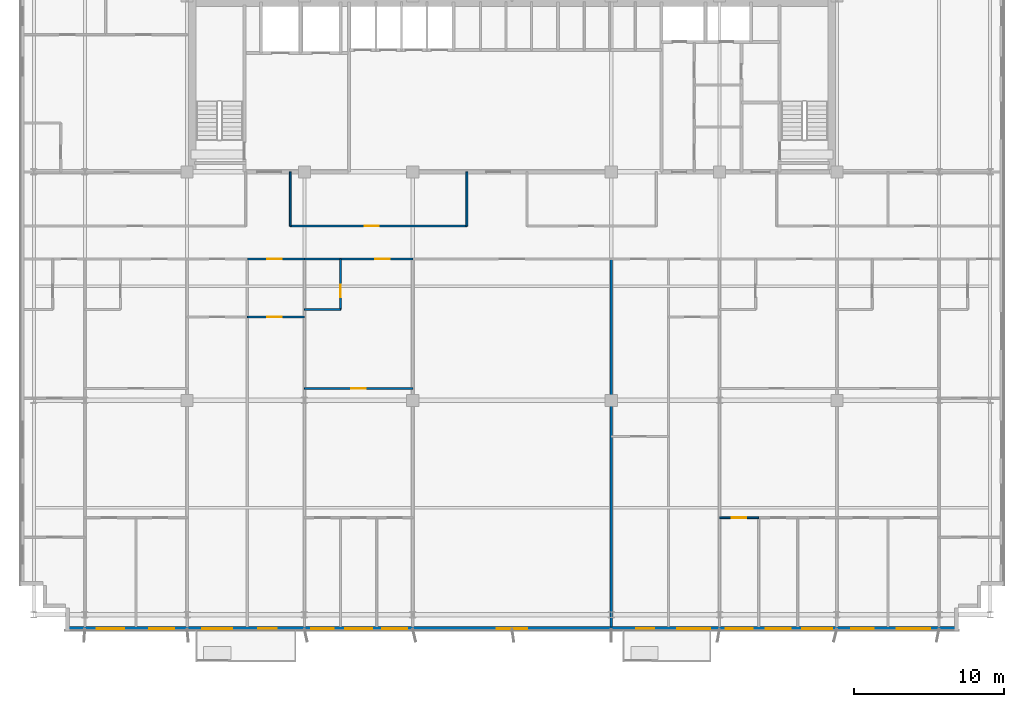
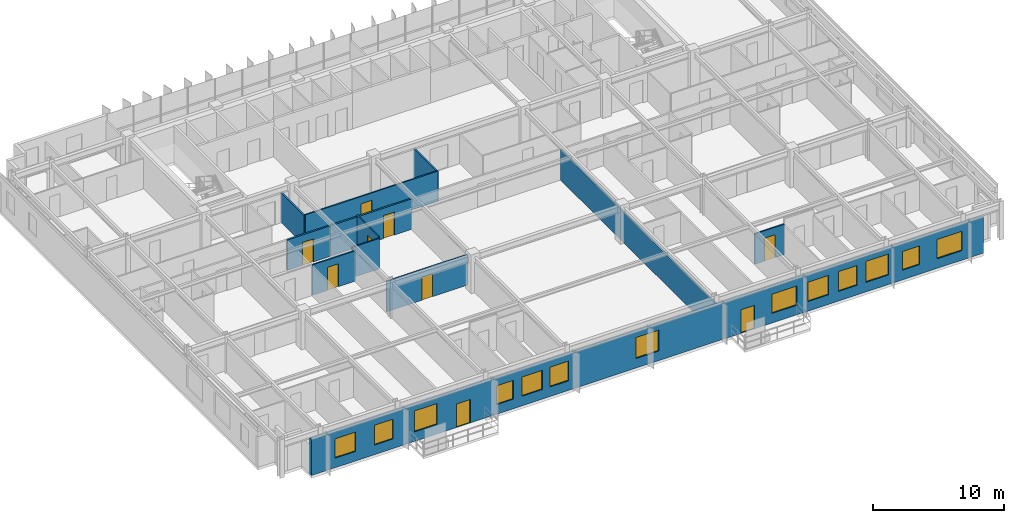
# One storey, part 15 of 22: 13 windows, 12 walls, 9 doors, 22 openings.
"""IFC4 building model written with IfcOpenShell, lengths in metres."""

from ifc_helpers import new_model, si_unit, direction, frame, frame_2d, origin, place, context, subcontext, project, spatial, rectangle, extrude, source, transform, mapped, material, layer, layer_set, type_object, element, fill, save


model = new_model("IFC4")

# Units and contexts
model_context = context("Model", 3, precision=1e-05, world=origin(), true_north=direction((0.0, 1.0)))
body_context = subcontext(model_context, "Body", "Model", "MODEL_VIEW")
ifc_project = project(units=[si_unit("LENGTHUNIT", "METRE"), si_unit("AREAUNIT", "SQUARE_METRE"), si_unit("VOLUMEUNIT", "CUBIC_METRE"), si_unit("PLANEANGLEUNIT", "RADIAN"), si_unit("MASSUNIT", "GRAM", prefix="KILO")], contexts=[model_context])

# Site, building, storey
site_placement = place(None, origin())
site = spatial("IfcSite", under=ifc_project, at=site_placement, CompositionType="ELEMENT")
building_placement = place(site_placement, origin())
building = spatial("IfcBuilding", under=site, at=building_placement, Name="Trelvane Seafront Commons", CompositionType="ELEMENT")
storey_placement = place(building_placement, frame((0.0, 0.0, 99.699951171875)))
storey = spatial("IfcBuildingStorey", under=building, at=storey_placement, Name="L25", CompositionType="ELEMENT", Elevation=99.699951171875)

# Wall, openings, doors, windows
ifc_material_1 = material(Name="Precast concrete C40/50", Category="concrete")
ifc_layer_1 = layer(ifc_material_1, 0.260009765625, Name="ARCH-WALL-EXT260")
ifc_layer_set_1 = layer_set([ifc_layer_1], Name="Precast concrete C40/50")
wall_type_1 = type_object("IfcWallType", Name="ARCH-WALL-EXT260", PredefinedType="SOLIDWALL", material=ifc_layer_set_1)
wall_1_placement = place(storey_placement, frame((66.89990234375, 3.030029296875, 0.0), z_axis=(0.0, 0.0, 1.0), x_axis=(-1.0, 0.0, 0.0)))
wall_1 = element("IfcWall", 1, at=wall_1_placement, inside=storey, type_object=wall_type_1, Name="EW-L25-00473", PredefinedType="SOLIDWALL", context=body_context, shape_type="SweptSolid", body=[
    extrude(rectangle(XDim=59.39990234375, YDim=0.260009765625, at=frame_2d((29.699951171875, 0.0))), origin(), (0.0, 0.0, 1.0), 3.340087890625),
])
opening_1_placement = place(wall_1_placement, frame((1.89990234375, 0.0, 0.89990234375)))
opening_1 = element("IfcOpeningElement", 2, at=opening_1_placement, cuts=wall_1, Name="Opening W02", PredefinedType="OPENING", context=body_context, shape_type="SweptSolid", body=[
    extrude(rectangle(XDim=2.199951171875, YDim=1.800048828125, at=frame_2d((1.10009765625, 0.89990234375))), frame((0.0, 0.139892578125, 0.0), z_axis=(0.0, -1.0, 0.0), x_axis=(1.0, 0.0, 0.0)), (0.0, 0.0, 1.0), 0.280029296875),
])
opening_2_placement = place(wall_1_placement, frame((5.64990234375, 0.0, 0.89990234375)))
opening_2 = element("IfcOpeningElement", 3, at=opening_2_placement, cuts=wall_1, Name="Opening W03", PredefinedType="OPENING", context=body_context, shape_type="SweptSolid", body=[
    extrude(rectangle(XDim=1.5, YDim=1.75, at=frame_2d((0.75, 0.875))), frame((0.0, 0.139892578125, 0.0), z_axis=(0.0, -1.0, 0.0), x_axis=(1.0, 0.0, 0.0)), (0.0, 0.0, 1.0), 0.280029296875),
])
opening_3_placement = place(wall_1_placement, frame((8.39990234375, 0.0, 0.89990234375)))
opening_3 = element("IfcOpeningElement", 4, at=opening_3_placement, cuts=wall_1, Name="Opening W06", PredefinedType="OPENING", context=body_context, shape_type="SweptSolid", body=[
    extrude(rectangle(XDim=2.0, YDim=1.949951171875, at=frame_2d((1.0, 0.97509765625))), frame((0.0, 0.139892578125, 0.0), z_axis=(0.0, -1.0, 0.0), x_axis=(1.0, 0.0, 0.0)), (0.0, 0.0, 1.0), 0.280029296875),
])
opening_4_placement = place(wall_1_placement, frame((11.175048828125, 0.0, 0.89990234375)))
opening_4 = element("IfcOpeningElement", 5, at=opening_4_placement, cuts=wall_1, Name="Opening W07", PredefinedType="OPENING", context=body_context, shape_type="SweptSolid", body=[
    extrude(rectangle(XDim=1.64990234375, YDim=1.85009765625, at=frame_2d((0.824951171875, 0.925048828125))), frame((0.0, 0.139892578125, 0.0), z_axis=(0.0, -1.0, 0.0), x_axis=(1.0, 0.0, 0.0)), (0.0, 0.0, 1.0), 0.280029296875),
])
opening_5_placement = place(wall_1_placement, frame((13.699951171875, 0.0, 0.89990234375)))
opening_5 = element("IfcOpeningElement", 6, at=opening_5_placement, cuts=wall_1, Name="Opening W01", PredefinedType="OPENING", context=body_context, shape_type="SweptSolid", body=[
    extrude(rectangle(XDim=1.800048828125, YDim=1.800048828125, at=frame_2d((0.89990234375, 0.89990234375))), frame((0.0, 0.139892578125, 0.0), z_axis=(0.0, -1.0, 0.0), x_axis=(1.0, 0.0, 0.0)), (0.0, 0.0, 1.0), 0.280029296875),
])
opening_6_placement = place(wall_1_placement, frame((16.5, 0.0, 0.89990234375)))
opening_6 = element("IfcOpeningElement", 7, at=opening_6_placement, cuts=wall_1, Name="Opening W02", PredefinedType="OPENING", context=body_context, shape_type="SweptSolid", body=[
    extrude(rectangle(XDim=2.199951171875, YDim=1.800048828125, at=frame_2d((1.10009765625, 0.89990234375))), frame((0.0, 0.139892578125, 0.0), z_axis=(0.0, -1.0, 0.0), x_axis=(1.0, 0.0, 0.0)), (0.0, 0.0, 1.0), 0.280029296875),
])
opening_7_placement = place(wall_1_placement, frame((20.22705078125, 0.0, 0.0)))
opening_7 = element("IfcOpeningElement", 8, at=opening_7_placement, cuts=wall_1, Name="Opening BD-L25-59", PredefinedType="OPENING", context=body_context, shape_type="SweptSolid", body=[
    extrude(rectangle(XDim=1.199951171875, YDim=2.199951171875, at=frame_2d((0.60009765625, 1.10009765625))), frame((0.0, 0.139892578125, 0.0), z_axis=(0.0, -1.0, 0.0), x_axis=(1.0, 0.0, 0.0)), (0.0, 0.0, 1.0), 0.280029296875),
])
opening_8_placement = place(wall_1_placement, frame((28.699951171875, 0.0, 0.89990234375)))
opening_8 = element("IfcOpeningElement", 9, at=opening_8_placement, cuts=wall_1, Name="Opening W06", PredefinedType="OPENING", context=body_context, shape_type="SweptSolid", body=[
    extrude(rectangle(XDim=2.0, YDim=1.949951171875, at=frame_2d((1.0, 0.97509765625))), frame((0.0, 0.139892578125, 0.0), z_axis=(0.0, -1.0, 0.0), x_axis=(1.0, 0.0, 0.0)), (0.0, 0.0, 1.0), 0.280029296875),
])
opening_9_placement = place(wall_1_placement, frame((36.675048828125, 0.0, 0.89990234375)))
opening_9 = element("IfcOpeningElement", 10, at=opening_9_placement, cuts=wall_1, Name="Opening W07", PredefinedType="OPENING", context=body_context, shape_type="SweptSolid", body=[
    extrude(rectangle(XDim=1.64990234375, YDim=1.85009765625, at=frame_2d((0.824951171875, 0.925048828125))), frame((0.0, 0.139892578125, 0.0), z_axis=(0.0, -1.0, 0.0), x_axis=(1.0, 0.0, 0.0)), (0.0, 0.0, 1.0), 0.280029296875),
])
opening_10_placement = place(wall_1_placement, frame((39.0, 0.0, 0.89990234375)))
opening_10 = element("IfcOpeningElement", 11, at=opening_10_placement, cuts=wall_1, Name="Opening W01", PredefinedType="OPENING", context=body_context, shape_type="SweptSolid", body=[
    extrude(rectangle(XDim=1.800048828125, YDim=1.800048828125, at=frame_2d((0.89990234375, 0.89990234375))), frame((0.0, 0.139892578125, 0.0), z_axis=(0.0, -1.0, 0.0), x_axis=(1.0, 0.0, 0.0)), (0.0, 0.0, 1.0), 0.280029296875),
])
opening_11_placement = place(wall_1_placement, frame((41.550048828125, 0.0, 0.89990234375)))
opening_11 = element("IfcOpeningElement", 12, at=opening_11_placement, cuts=wall_1, Name="Opening W03", PredefinedType="OPENING", context=body_context, shape_type="SweptSolid", body=[
    extrude(rectangle(XDim=1.5, YDim=1.75, at=frame_2d((0.75, 0.875))), frame((0.0, 0.139892578125, 0.0), z_axis=(0.0, -1.0, 0.0), x_axis=(1.0, 0.0, 0.0)), (0.0, 0.0, 1.0), 0.280029296875),
])
opening_12_placement = place(wall_1_placement, frame((45.360107421875, 0.0, 0.0)))
opening_12 = element("IfcOpeningElement", 13, at=opening_12_placement, cuts=wall_1, Name="Opening BD-L25-60", PredefinedType="OPENING", context=body_context, shape_type="SweptSolid", body=[
    extrude(rectangle(XDim=1.199951171875, YDim=2.199951171875, at=frame_2d((0.60009765625, 1.10009765625))), frame((0.0, 0.139892578125, 0.0), z_axis=(0.0, -1.0, 0.0), x_axis=(1.0, 0.0, 0.0)), (0.0, 0.0, 1.0), 0.280029296875),
])
opening_13_placement = place(wall_1_placement, frame((48.300048828125, 0.0, 0.89990234375)))
opening_13 = element("IfcOpeningElement", 14, at=opening_13_placement, cuts=wall_1, Name="Opening W06", PredefinedType="OPENING", context=body_context, shape_type="SweptSolid", body=[
    extrude(rectangle(XDim=2.0, YDim=1.949951171875, at=frame_2d((1.0, 0.97509765625))), frame((0.0, 0.139892578125, 0.0), z_axis=(0.0, -1.0, 0.0), x_axis=(1.0, 0.0, 0.0)), (0.0, 0.0, 1.0), 0.280029296875),
])
opening_14_placement = place(wall_1_placement, frame((52.175048828125, 0.0, 0.89990234375)))
opening_14 = element("IfcOpeningElement", 15, at=opening_14_placement, cuts=wall_1, Name="Opening W07", PredefinedType="OPENING", context=body_context, shape_type="SweptSolid", body=[
    extrude(rectangle(XDim=1.64990234375, YDim=1.85009765625, at=frame_2d((0.824951171875, 0.925048828125))), frame((0.0, 0.139892578125, 0.0), z_axis=(0.0, -1.0, 0.0), x_axis=(1.0, 0.0, 0.0)), (0.0, 0.0, 1.0), 0.280029296875),
])
opening_15_placement = place(wall_1_placement, frame((55.5, 0.0, 0.89990234375)))
opening_15 = element("IfcOpeningElement", 16, at=opening_15_placement, cuts=wall_1, Name="Opening W01", PredefinedType="OPENING", context=body_context, shape_type="SweptSolid", body=[
    extrude(rectangle(XDim=1.800048828125, YDim=1.800048828125, at=frame_2d((0.89990234375, 0.89990234375))), frame((0.0, 0.139892578125, 0.0), z_axis=(0.0, -1.0, 0.0), x_axis=(1.0, 0.0, 0.0)), (0.0, 0.0, 1.0), 0.280029296875),
])
ifc_material_2 = material(Name="Powder-coated aluminium frame", Category="aluminium")
door_type_1 = type_object("IfcDoorType", Name="ARCH-DR-BAL1200", OperationType="NOTDEFINED", PredefinedType="DOOR", material=ifc_material_2)
shared_shape_1 = source(origin(), body_context, "Body", "SweptSolid", [
    extrude(rectangle(XDim=1.199951171875, YDim=2.199951171875, at=frame_2d((0.60009765625, 1.10009765625))), frame((0.0, 0.02490234375, 0.0), z_axis=(0.0, -1.0, 0.0), x_axis=(1.0, 0.0, 0.0)), (0.0, 0.0, 1.0), 0.050048828125),
])
door_1_placement = place(opening_7_placement, origin())
door_1 = element("IfcDoor", 17, at=door_1_placement, inside=storey, type_object=door_type_1, Name="L25 Balcony Terrace Access Door", OperationType="SINGLE_SWING_LEFT", OverallHeight=2.199951171875, OverallWidth=1.199951171875, PredefinedType="DOOR", context=body_context, shape_type="MappedRepresentation", body=[
    mapped(shared_shape_1, transform((0.0, 0.0, 0.0), x_axis=(1.0, 0.0, 0.0), y_axis=(0.0, 1.0, 0.0), z_axis=(0.0, 0.0, 1.0), scale=1.0)),
])
fill(opening_7, door_1)
door_2_placement = place(opening_12_placement, origin())
door_2 = element("IfcDoor", 18, at=door_2_placement, inside=storey, type_object=door_type_1, Name="L25 Balcony Terrace Access Door", OperationType="SINGLE_SWING_LEFT", OverallHeight=2.199951171875, OverallWidth=1.199951171875, PredefinedType="DOOR", context=body_context, shape_type="MappedRepresentation", body=[
    mapped(shared_shape_1, transform((0.0, 0.0, 0.0), x_axis=(1.0, 0.0, 0.0), y_axis=(0.0, 1.0, 0.0), z_axis=(0.0, 0.0, 1.0), scale=1.0)),
])
fill(opening_12, door_2)
ifc_material_3 = material(Name="Low-E coastal double glazing", Category="glass")
window_type_1 = type_object("IfcWindowType", Name="ARCH-WIN-W02", PartitioningType="SINGLE_PANEL", PredefinedType="WINDOW", material=ifc_material_3)
shared_shape_2 = source(origin(), body_context, "Body", "SweptSolid", [
    extrude(rectangle(XDim=2.199951171875, YDim=1.800048828125, at=frame_2d((1.10009765625, 0.89990234375))), frame((0.0, 0.030029296875, 0.0), z_axis=(0.0, -1.0, 0.0), x_axis=(1.0, 0.0, 0.0)), (0.0, 0.0, 1.0), 0.06005859375),
])
window_1_placement = place(opening_1_placement, origin())
window_1 = element("IfcWindow", 19, at=window_1_placement, inside=storey, type_object=window_type_1, Name="WIN-L25-00547", OverallHeight=1.800048828125, OverallWidth=2.199951171875, PartitioningType="SINGLE_PANEL", PredefinedType="WINDOW", context=body_context, shape_type="MappedRepresentation", body=[
    mapped(shared_shape_2, transform((0.0, 0.0, 0.0), x_axis=(1.0, 0.0, 0.0), y_axis=(0.0, 1.0, 0.0), z_axis=(0.0, 0.0, 1.0), scale=1.0)),
])
fill(opening_1, window_1)
window_2_placement = place(opening_6_placement, origin())
window_2 = element("IfcWindow", 20, at=window_2_placement, inside=storey, type_object=window_type_1, Name="WIN-L25-00552", OverallHeight=1.800048828125, OverallWidth=2.199951171875, PartitioningType="SINGLE_PANEL", PredefinedType="WINDOW", context=body_context, shape_type="MappedRepresentation", body=[
    mapped(shared_shape_2, transform((0.0, 0.0, 0.0), x_axis=(1.0, 0.0, 0.0), y_axis=(0.0, 1.0, 0.0), z_axis=(0.0, 0.0, 1.0), scale=1.0)),
])
fill(opening_6, window_2)
window_type_2 = type_object("IfcWindowType", Name="ARCH-WIN-W03", PartitioningType="SINGLE_PANEL", PredefinedType="WINDOW", material=ifc_material_3)
shared_shape_3 = source(origin(), body_context, "Body", "SweptSolid", [
    extrude(rectangle(XDim=1.5, YDim=1.75, at=frame_2d((0.75, 0.875))), frame((0.0, 0.030029296875, 0.0), z_axis=(0.0, -1.0, 0.0), x_axis=(1.0, 0.0, 0.0)), (0.0, 0.0, 1.0), 0.06005859375),
])
window_3_placement = place(opening_2_placement, origin())
window_3 = element("IfcWindow", 21, at=window_3_placement, inside=storey, type_object=window_type_2, Name="WIN-L25-00548", OverallHeight=1.75, OverallWidth=1.5, PartitioningType="SINGLE_PANEL", PredefinedType="WINDOW", context=body_context, shape_type="MappedRepresentation", body=[
    mapped(shared_shape_3, transform((0.0, 0.0, 0.0), x_axis=(1.0, 0.0, 0.0), y_axis=(0.0, 1.0, 0.0), z_axis=(0.0, 0.0, 1.0), scale=1.0)),
])
fill(opening_2, window_3)
window_4_placement = place(opening_11_placement, origin())
window_4 = element("IfcWindow", 22, at=window_4_placement, inside=storey, type_object=window_type_2, Name="WIN-L25-00556", OverallHeight=1.75, OverallWidth=1.5, PartitioningType="SINGLE_PANEL", PredefinedType="WINDOW", context=body_context, shape_type="MappedRepresentation", body=[
    mapped(shared_shape_3, transform((0.0, 0.0, 0.0), x_axis=(1.0, 0.0, 0.0), y_axis=(0.0, 1.0, 0.0), z_axis=(0.0, 0.0, 1.0), scale=1.0)),
])
fill(opening_11, window_4)
window_type_3 = type_object("IfcWindowType", Name="ARCH-WIN-W06", PartitioningType="SINGLE_PANEL", PredefinedType="WINDOW", material=ifc_material_3)
shared_shape_4 = source(origin(), body_context, "Body", "SweptSolid", [
    extrude(rectangle(XDim=2.0, YDim=1.949951171875, at=frame_2d((1.0, 0.97509765625))), frame((0.0, 0.030029296875, 0.0), z_axis=(0.0, -1.0, 0.0), x_axis=(1.0, 0.0, 0.0)), (0.0, 0.0, 1.0), 0.06005859375),
])
window_5_placement = place(opening_3_placement, origin())
window_5 = element("IfcWindow", 23, at=window_5_placement, inside=storey, type_object=window_type_3, Name="WIN-L25-00549", OverallHeight=1.949951171875, OverallWidth=2.0, PartitioningType="SINGLE_PANEL", PredefinedType="WINDOW", context=body_context, shape_type="MappedRepresentation", body=[
    mapped(shared_shape_4, transform((0.0, 0.0, 0.0), x_axis=(1.0, 0.0, 0.0), y_axis=(0.0, 1.0, 0.0), z_axis=(0.0, 0.0, 1.0), scale=1.0)),
])
fill(opening_3, window_5)
window_6_placement = place(opening_8_placement, origin())
window_6 = element("IfcWindow", 24, at=window_6_placement, inside=storey, type_object=window_type_3, Name="WIN-L25-00553", OverallHeight=1.949951171875, OverallWidth=2.0, PartitioningType="SINGLE_PANEL", PredefinedType="WINDOW", context=body_context, shape_type="MappedRepresentation", body=[
    mapped(shared_shape_4, transform((0.0, 0.0, 0.0), x_axis=(1.0, 0.0, 0.0), y_axis=(0.0, 1.0, 0.0), z_axis=(0.0, 0.0, 1.0), scale=1.0)),
])
fill(opening_8, window_6)
window_7_placement = place(opening_13_placement, origin())
window_7 = element("IfcWindow", 25, at=window_7_placement, inside=storey, type_object=window_type_3, Name="WIN-L25-00557", OverallHeight=1.949951171875, OverallWidth=2.0, PartitioningType="SINGLE_PANEL", PredefinedType="WINDOW", context=body_context, shape_type="MappedRepresentation", body=[
    mapped(shared_shape_4, transform((0.0, 0.0, 0.0), x_axis=(1.0, 0.0, 0.0), y_axis=(0.0, 1.0, 0.0), z_axis=(0.0, 0.0, 1.0), scale=1.0)),
])
fill(opening_13, window_7)
window_type_4 = type_object("IfcWindowType", Name="ARCH-WIN-W01", PartitioningType="SINGLE_PANEL", PredefinedType="WINDOW", material=ifc_material_3)
shared_shape_5 = source(origin(), body_context, "Body", "SweptSolid", [
    extrude(rectangle(XDim=1.800048828125, YDim=1.800048828125, at=frame_2d((0.89990234375, 0.89990234375))), frame((0.0, 0.030029296875, 0.0), z_axis=(0.0, -1.0, 0.0), x_axis=(1.0, 0.0, 0.0)), (0.0, 0.0, 1.0), 0.06005859375),
])
window_8_placement = place(opening_5_placement, origin())
window_8 = element("IfcWindow", 26, at=window_8_placement, inside=storey, type_object=window_type_4, Name="WIN-L25-00551", OverallHeight=1.800048828125, OverallWidth=1.800048828125, PartitioningType="SINGLE_PANEL", PredefinedType="WINDOW", context=body_context, shape_type="MappedRepresentation", body=[
    mapped(shared_shape_5, transform((0.0, 0.0, 0.0), x_axis=(1.0, 0.0, 0.0), y_axis=(0.0, 1.0, 0.0), z_axis=(0.0, 0.0, 1.0), scale=1.0)),
])
fill(opening_5, window_8)
window_9_placement = place(opening_10_placement, origin())
window_9 = element("IfcWindow", 27, at=window_9_placement, inside=storey, type_object=window_type_4, Name="WIN-L25-00555", OverallHeight=1.800048828125, OverallWidth=1.800048828125, PartitioningType="SINGLE_PANEL", PredefinedType="WINDOW", context=body_context, shape_type="MappedRepresentation", body=[
    mapped(shared_shape_5, transform((0.0, 0.0, 0.0), x_axis=(1.0, 0.0, 0.0), y_axis=(0.0, 1.0, 0.0), z_axis=(0.0, 0.0, 1.0), scale=1.0)),
])
fill(opening_10, window_9)
window_10_placement = place(opening_15_placement, origin())
window_10 = element("IfcWindow", 28, at=window_10_placement, inside=storey, type_object=window_type_4, Name="WIN-L25-00559", OverallHeight=1.800048828125, OverallWidth=1.800048828125, PartitioningType="SINGLE_PANEL", PredefinedType="WINDOW", context=body_context, shape_type="MappedRepresentation", body=[
    mapped(shared_shape_5, transform((0.0, 0.0, 0.0), x_axis=(1.0, 0.0, 0.0), y_axis=(0.0, 1.0, 0.0), z_axis=(0.0, 0.0, 1.0), scale=1.0)),
])
fill(opening_15, window_10)
window_type_5 = type_object("IfcWindowType", Name="ARCH-WIN-W07", PartitioningType="SINGLE_PANEL", PredefinedType="WINDOW", material=ifc_material_3)
shared_shape_6 = source(origin(), body_context, "Body", "SweptSolid", [
    extrude(rectangle(XDim=1.64990234375, YDim=1.85009765625, at=frame_2d((0.824951171875, 0.925048828125))), frame((0.0, 0.030029296875, 0.0), z_axis=(0.0, -1.0, 0.0), x_axis=(1.0, 0.0, 0.0)), (0.0, 0.0, 1.0), 0.06005859375),
])
window_11_placement = place(opening_4_placement, origin())
window_11 = element("IfcWindow", 29, at=window_11_placement, inside=storey, type_object=window_type_5, Name="WIN-L25-00550", OverallHeight=1.85009765625, OverallWidth=1.64990234375, PartitioningType="SINGLE_PANEL", PredefinedType="WINDOW", context=body_context, shape_type="MappedRepresentation", body=[
    mapped(shared_shape_6, transform((0.0, 0.0, 0.0), x_axis=(1.0, 0.0, 0.0), y_axis=(0.0, 1.0, 0.0), z_axis=(0.0, 0.0, 1.0), scale=1.0)),
])
fill(opening_4, window_11)
window_12_placement = place(opening_9_placement, origin())
window_12 = element("IfcWindow", 30, at=window_12_placement, inside=storey, type_object=window_type_5, Name="WIN-L25-00554", OverallHeight=1.85009765625, OverallWidth=1.64990234375, PartitioningType="SINGLE_PANEL", PredefinedType="WINDOW", context=body_context, shape_type="MappedRepresentation", body=[
    mapped(shared_shape_6, transform((0.0, 0.0, 0.0), x_axis=(1.0, 0.0, 0.0), y_axis=(0.0, 1.0, 0.0), z_axis=(0.0, 0.0, 1.0), scale=1.0)),
])
fill(opening_9, window_12)
window_13_placement = place(opening_14_placement, origin())
window_13 = element("IfcWindow", 31, at=window_13_placement, inside=storey, type_object=window_type_5, Name="WIN-L25-00558", OverallHeight=1.85009765625, OverallWidth=1.64990234375, PartitioningType="SINGLE_PANEL", PredefinedType="WINDOW", context=body_context, shape_type="MappedRepresentation", body=[
    mapped(shared_shape_6, transform((0.0, 0.0, 0.0), x_axis=(1.0, 0.0, 0.0), y_axis=(0.0, 1.0, 0.0), z_axis=(0.0, 0.0, 1.0), scale=1.0)),
])
fill(opening_14, window_13)

# Wall, opening, door
ifc_material_4 = material(Name="Gypsum Drywall Acoustic Partition")
ifc_layer_2 = layer(ifc_material_4, 0.1201171875, Name="ARCH-WALL-PART120")
ifc_layer_set_2 = layer_set([ifc_layer_2], Name="Gypsum Drywall Acoustic Partition")
wall_type_2 = type_object("IfcWallType", Name="ARCH-WALL-PART120", PredefinedType="PARTITIONING", material=ifc_layer_set_2)
wall_2_placement = place(storey_placement, frame((22.449951171875, 29.800048828125, 0.0), z_axis=(0.0, 0.0, 1.0), x_axis=(1.0, 0.0, 0.0)))
wall_2 = element("IfcWall", 32, at=wall_2_placement, inside=storey, type_object=wall_type_2, Name="W-L25-CORR-N-M1-040", PredefinedType="PARTITIONING", context=body_context, shape_type="SweptSolid", body=[
    extrude(rectangle(XDim=11.75, YDim=0.1201171875, at=frame_2d((5.875, 0.0))), origin(), (0.0, 0.0, 1.0), 2.840087890625),
])
opening_16_placement = place(wall_2_placement, frame((4.944091796875, 0.0, 0.0)))
opening_16 = element("IfcOpeningElement", 33, at=opening_16_placement, cuts=wall_2, Name="Opening D-L25-20", PredefinedType="OPENING", context=body_context, shape_type="SweptSolid", body=[
    extrude(rectangle(XDim=0.949951171875, YDim=2.14990234375, at=frame_2d((0.47509765625, 1.074951171875))), frame((0.0, 0.070068359375, 0.0), z_axis=(0.0, -1.0, 0.0), x_axis=(1.0, 0.0, 0.0)), (0.0, 0.0, 1.0), 0.14013671875),
])
ifc_material_5 = material(Name="Acoustic timber door leaf", Category="wood")
door_type_2 = type_object("IfcDoorType", Name="ARCH-DR-INT950", OperationType="NOTDEFINED", PredefinedType="DOOR", material=ifc_material_5)
shared_shape_7 = source(origin(), body_context, "Body", "SweptSolid", [
    extrude(rectangle(XDim=0.949951171875, YDim=2.14990234375, at=frame_2d((0.47509765625, 1.074951171875))), frame((0.0, 0.02490234375, 0.0), z_axis=(0.0, -1.0, 0.0), x_axis=(1.0, 0.0, 0.0)), (0.0, 0.0, 1.0), 0.050048828125),
])
door_3_placement = place(opening_16_placement, origin())
door_3 = element("IfcDoor", 34, at=door_3_placement, inside=storey, type_object=door_type_2, Name="L25 Door 20", OperationType="SINGLE_SWING_RIGHT", OverallHeight=2.14990234375, OverallWidth=0.949951171875, PredefinedType="DOOR", context=body_context, shape_type="MappedRepresentation", body=[
    mapped(shared_shape_7, transform((0.0, 0.0, 0.0), x_axis=(1.0, 0.0, 0.0), y_axis=(0.0, 1.0, 0.0), z_axis=(0.0, 0.0, 1.0), scale=1.0)),
])
fill(opening_16, door_3)

# Walls
for number, where, z_axis, x_axis, name in (
    (35, (22.449951171875, 29.800048828125, 0.0), (0.0, 0.0, 1.0), (0.0, 1.0, 0.0), "W-L25-N-SPUR-W2-045"),
    (36, (34.199951171875, 29.800048828125, 0.0), (0.0, 0.0, 1.0), (0.0, 1.0, 0.0), "W-L25-N-SPUR-M1-046"),
):
    element("IfcWall", number, at=place(storey_placement, frame(where, z_axis=z_axis, x_axis=x_axis)), inside=storey, type_object=wall_type_2, Name=name, PredefinedType="PARTITIONING", context=body_context, shape_type="SweptSolid", body=[
        extrude(rectangle(XDim=3.599853515625, YDim=0.1201171875, at=frame_2d((1.7998046875, 0.0))), origin(), (0.0, 0.0, 1.0), 2.751953125),
    ])

# Wall, opening, door
wall_3_placement = place(storey_placement, frame((19.60009765625, 23.75, 0.0), z_axis=(0.0, 0.0, 1.0), x_axis=(1.0, 0.0, 0.0)))
wall_3 = element("IfcWall", 37, at=wall_3_placement, inside=storey, type_object=wall_type_2, Name="W-L25-U4-DIV-085", PredefinedType="PARTITIONING", context=body_context, shape_type="SweptSolid", body=[
    extrude(rectangle(XDim=3.7998046875, YDim=0.1201171875, at=frame_2d((1.89990234375, 0.0))), origin(), (0.0, 0.0, 1.0), 2.840087890625),
])
opening_17_placement = place(wall_3_placement, frame((1.330078125, 0.0, 0.0)))
opening_17 = element("IfcOpeningElement", 38, at=opening_17_placement, cuts=wall_3, Name="Opening D-L25-44", PredefinedType="OPENING", context=body_context, shape_type="SweptSolid", body=[
    extrude(rectangle(XDim=0.949951171875, YDim=2.14990234375, at=frame_2d((0.47509765625, 1.074951171875))), frame((0.0, 0.070068359375, 0.0), z_axis=(0.0, -1.0, 0.0), x_axis=(1.0, 0.0, 0.0)), (0.0, 0.0, 1.0), 0.14013671875),
])
door_4_placement = place(opening_17_placement, origin())
door_4 = element("IfcDoor", 39, at=door_4_placement, inside=storey, type_object=door_type_2, Name="L25 Door 44", OperationType="SINGLE_SWING_RIGHT", OverallHeight=2.14990234375, OverallWidth=0.949951171875, PredefinedType="DOOR", context=body_context, shape_type="MappedRepresentation", body=[
    mapped(shared_shape_7, transform((0.0, 0.0, 0.0), x_axis=(1.0, 0.0, 0.0), y_axis=(0.0, 1.0, 0.0), z_axis=(0.0, 0.0, 1.0), scale=1.0)),
])
fill(opening_17, door_4)

wall_4_placement = place(storey_placement, frame((23.39990234375, 19.0, 0.0), z_axis=(0.0, 0.0, 1.0), x_axis=(1.0, 0.0, 0.0)))
wall_4 = element("IfcWall", 40, at=wall_4_placement, inside=storey, type_object=wall_type_2, Name="W-L25-U5-KL-086", PredefinedType="PARTITIONING", context=body_context, shape_type="SweptSolid", body=[
    extrude(rectangle(XDim=7.2001953125, YDim=0.1201171875, at=frame_2d((3.60009765625, 0.0))), origin(), (0.0, 0.0, 1.0), 2.840087890625),
])
opening_18_placement = place(wall_4_placement, frame((3.125, 0.0, 0.0)))
opening_18 = element("IfcOpeningElement", 41, at=opening_18_placement, cuts=wall_4, Name="Opening D-L25-45", PredefinedType="OPENING", context=body_context, shape_type="SweptSolid", body=[
    extrude(rectangle(XDim=0.949951171875, YDim=2.14990234375, at=frame_2d((0.47509765625, 1.074951171875))), frame((0.0, 0.070068359375, 0.0), z_axis=(0.0, -1.0, 0.0), x_axis=(1.0, 0.0, 0.0)), (0.0, 0.0, 1.0), 0.14013671875),
])
door_5_placement = place(opening_18_placement, origin())
door_5 = element("IfcDoor", 42, at=door_5_placement, inside=storey, type_object=door_type_2, Name="L25 Door 45", OperationType="SINGLE_SWING_LEFT", OverallHeight=2.14990234375, OverallWidth=0.949951171875, PredefinedType="DOOR", context=body_context, shape_type="MappedRepresentation", body=[
    mapped(shared_shape_7, transform((0.0, 0.0, 0.0), x_axis=(1.0, 0.0, 0.0), y_axis=(0.0, 1.0, 0.0), z_axis=(0.0, 0.0, 1.0), scale=1.0)),
])
fill(opening_18, door_5)

wall_5_placement = place(storey_placement, frame((25.800048828125, 24.25, 0.0), z_axis=(0.0, 0.0, 1.0), x_axis=(0.0, 1.0, 0.0)))
wall_5 = element("IfcWall", 43, at=wall_5_placement, inside=storey, type_object=wall_type_2, Name="W-L25-U5-BE-087", PredefinedType="PARTITIONING", context=body_context, shape_type="SweptSolid", body=[
    extrude(rectangle(XDim=3.35009765625, YDim=0.1201171875, at=frame_2d((1.675048828125, 0.0))), origin(), (0.0, 0.0, 1.0), 2.989990234375),
])
opening_19_placement = place(wall_5_placement, frame((0.800048828125, 0.0, 0.0)))
opening_19 = element("IfcOpeningElement", 44, at=opening_19_placement, cuts=wall_5, Name="Opening D-L25-46", PredefinedType="OPENING", context=body_context, shape_type="SweptSolid", body=[
    extrude(rectangle(XDim=0.85009765625, YDim=2.10009765625, at=frame_2d((0.425048828125, 1.050048828125))), frame((0.0, 0.070068359375, 0.0), z_axis=(0.0, -1.0, 0.0), x_axis=(1.0, 0.0, 0.0)), (0.0, 0.0, 1.0), 0.14013671875),
])
door_type_3 = type_object("IfcDoorType", Name="ARCH-DR-INT850", OperationType="NOTDEFINED", PredefinedType="DOOR", material=ifc_material_5)
shared_shape_8 = source(origin(), body_context, "Body", "SweptSolid", [
    extrude(rectangle(XDim=0.85009765625, YDim=2.10009765625, at=frame_2d((0.425048828125, 1.050048828125))), frame((0.0, 0.02490234375, 0.0), z_axis=(0.0, -1.0, 0.0), x_axis=(1.0, 0.0, 0.0)), (0.0, 0.0, 1.0), 0.050048828125),
])
door_6_placement = place(opening_19_placement, origin())
door_6 = element("IfcDoor", 45, at=door_6_placement, inside=storey, type_object=door_type_3, Name="L25 Door 46", OperationType="SINGLE_SWING_RIGHT", OverallHeight=2.10009765625, OverallWidth=0.85009765625, PredefinedType="DOOR", context=body_context, shape_type="MappedRepresentation", body=[
    mapped(shared_shape_8, transform((0.0, 0.0, 0.0), x_axis=(1.0, 0.0, 0.0), y_axis=(0.0, 1.0, 0.0), z_axis=(0.0, 0.0, 1.0), scale=1.0)),
])
fill(opening_19, door_6)

# Wall
wall_6_placement = place(storey_placement, frame((23.39990234375, 24.25, 0.0), z_axis=(0.0, 0.0, 1.0), x_axis=(1.0, 0.0, 0.0)))
element("IfcWall", 46, at=wall_6_placement, inside=storey, type_object=wall_type_2, Name="W-L25-U5-BS-088", PredefinedType="PARTITIONING", context=body_context, shape_type="SweptSolid", body=[
    extrude(rectangle(XDim=2.400146484375, YDim=0.1201171875, at=frame_2d((1.2001953125, 0.0))), origin(), (0.0, 0.0, 1.0), 2.840087890625),
])

# Wall, opening, door
wall_7_placement = place(storey_placement, frame((51.0, 10.39990234375, 0.0), z_axis=(0.0, 0.0, 1.0), x_axis=(1.0, 0.0, 0.0)))
wall_7 = element("IfcWall", 47, at=wall_7_placement, inside=storey, type_object=wall_type_2, Name="W-L25-U9-YM-1-104", PredefinedType="PARTITIONING", context=body_context, shape_type="SweptSolid", body=[
    extrude(rectangle(XDim=2.60009765625, YDim=0.1201171875, at=frame_2d((1.300048828125, 0.0))), origin(), (0.0, 0.0, 1.0), 2.840087890625),
])
opening_20_placement = place(wall_7_placement, frame((0.824951171875, 0.0, 0.0)))
opening_20 = element("IfcOpeningElement", 48, at=opening_20_placement, cuts=wall_7, Name="Opening D-L25-59", PredefinedType="OPENING", context=body_context, shape_type="SweptSolid", body=[
    extrude(rectangle(XDim=0.949951171875, YDim=2.14990234375, at=frame_2d((0.47509765625, 1.074951171875))), frame((0.0, 0.070068359375, 0.0), z_axis=(0.0, -1.0, 0.0), x_axis=(1.0, 0.0, 0.0)), (0.0, 0.0, 1.0), 0.14013671875),
])
door_7_placement = place(opening_20_placement, origin())
door_7 = element("IfcDoor", 49, at=door_7_placement, inside=storey, type_object=door_type_2, Name="L25 Door 59", OperationType="SINGLE_SWING_LEFT", OverallHeight=2.14990234375, OverallWidth=0.949951171875, PredefinedType="DOOR", context=body_context, shape_type="MappedRepresentation", body=[
    mapped(shared_shape_7, transform((0.0, 0.0, 0.0), x_axis=(1.0, 0.0, 0.0), y_axis=(0.0, 1.0, 0.0), z_axis=(0.0, 0.0, 1.0), scale=1.0)),
])
fill(opening_20, door_7)

# Wall
ifc_layer_3 = layer(ifc_material_4, 0.14990234375, Name="ARCH-WALL-PART150")
ifc_layer_set_3 = layer_set([ifc_layer_3], Name="Gypsum Drywall Acoustic Partition")
wall_type_3 = type_object("IfcWallType", Name="ARCH-WALL-PART150", PredefinedType="PARTITIONING", material=ifc_layer_set_3)
wall_8_placement = place(storey_placement, frame((43.800048828125, 3.14501953125, 0.0), z_axis=(0.0, 0.0, 1.0), x_axis=(0.0, 1.0, 0.0)))
element("IfcWall", 50, at=wall_8_placement, inside=storey, type_object=wall_type_3, Name="W-L25-PW-6-065", PredefinedType="PARTITIONING", context=body_context, shape_type="SweptSolid", body=[
    extrude(rectangle(XDim=24.455078125, YDim=0.14990234375, at=frame_2d((12.2275390625, 0.0))), origin(), (0.0, 0.0, 1.0), 2.840087890625),
])

# Wall, opening, door
wall_9_placement = place(storey_placement, frame((19.60009765625, 27.60009765625, 0.0), z_axis=(0.0, 0.0, 1.0), x_axis=(1.0, 0.0, 0.0)))
wall_9 = element("IfcWall", 51, at=wall_9_placement, inside=storey, type_object=wall_type_3, Name="W-L25-CS-BAY-4-084", PredefinedType="PARTITIONING", context=body_context, shape_type="SweptSolid", body=[
    extrude(rectangle(XDim=3.7998046875, YDim=0.14990234375, at=frame_2d((1.89990234375, 0.0))), origin(), (0.0, 0.0, 1.0), 2.840087890625),
])
opening_21_placement = place(wall_9_placement, frame((1.330078125, 0.0, 0.0)))
opening_21 = element("IfcOpeningElement", 52, at=opening_21_placement, cuts=wall_9, Name="Opening FD-L25-43", PredefinedType="OPENING", context=body_context, shape_type="SweptSolid", body=[
    extrude(rectangle(XDim=0.949951171875, YDim=2.14990234375, at=frame_2d((0.47509765625, 1.074951171875))), frame((0.0, 0.0849609375, 0.0), z_axis=(0.0, -1.0, 0.0), x_axis=(1.0, 0.0, 0.0)), (0.0, 0.0, 1.0), 0.169921875),
])
door_type_4 = type_object("IfcDoorType", Name="ARCH-DR-FD60-950", OperationType="NOTDEFINED", PredefinedType="DOOR", material=ifc_material_2)
door_8_placement = place(opening_21_placement, origin())
door_8 = element("IfcDoor", 53, at=door_8_placement, inside=storey, type_object=door_type_4, Name="L25 Bay 04 Entrance Door", OperationType="SINGLE_SWING_LEFT", OverallHeight=2.14990234375, OverallWidth=0.949951171875, PredefinedType="DOOR", context=body_context, shape_type="MappedRepresentation", body=[
    mapped(shared_shape_7, transform((0.0, 0.0, 0.0), x_axis=(1.0, 0.0, 0.0), y_axis=(0.0, 1.0, 0.0), z_axis=(0.0, 0.0, 1.0), scale=1.0)),
])
fill(opening_21, door_8)

wall_10_placement = place(storey_placement, frame((23.39990234375, 27.60009765625, 0.0), z_axis=(0.0, 0.0, 1.0), x_axis=(1.0, 0.0, 0.0)))
wall_10 = element("IfcWall", 54, at=wall_10_placement, inside=storey, type_object=wall_type_3, Name="W-L25-CS-BAY-5-089", PredefinedType="PARTITIONING", context=body_context, shape_type="SweptSolid", body=[
    extrude(rectangle(XDim=7.2001953125, YDim=0.14990234375, at=frame_2d((3.60009765625, 0.0))), origin(), (0.0, 0.0, 1.0), 2.840087890625),
])
opening_22_placement = place(wall_10_placement, frame((4.7060546875, 0.0, 0.0)))
opening_22 = element("IfcOpeningElement", 55, at=opening_22_placement, cuts=wall_10, Name="Opening FD-L25-47", PredefinedType="OPENING", context=body_context, shape_type="SweptSolid", body=[
    extrude(rectangle(XDim=0.949951171875, YDim=2.14990234375, at=frame_2d((0.47509765625, 1.074951171875))), frame((0.0, 0.0849609375, 0.0), z_axis=(0.0, -1.0, 0.0), x_axis=(1.0, 0.0, 0.0)), (0.0, 0.0, 1.0), 0.169921875),
])
door_9_placement = place(opening_22_placement, origin())
door_9 = element("IfcDoor", 56, at=door_9_placement, inside=storey, type_object=door_type_4, Name="L25 Unit 05 Entrance Door", OperationType="SINGLE_SWING_LEFT", OverallHeight=2.14990234375, OverallWidth=0.949951171875, PredefinedType="DOOR", context=body_context, shape_type="MappedRepresentation", body=[
    mapped(shared_shape_7, transform((0.0, 0.0, 0.0), x_axis=(1.0, 0.0, 0.0), y_axis=(0.0, 1.0, 0.0), z_axis=(0.0, 0.0, 1.0), scale=1.0)),
])
fill(opening_22, door_9)

save(model, "model.ifc")
